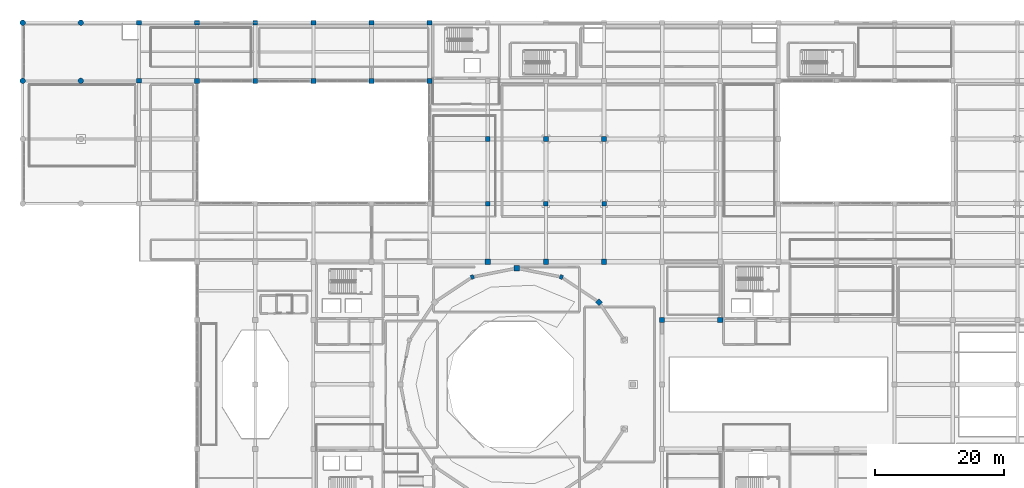
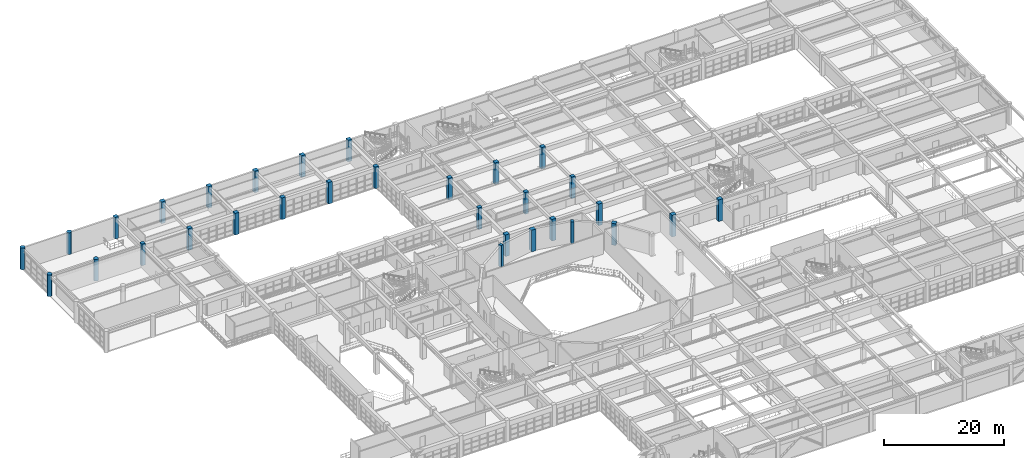
# One storey, part 10 of 133: 31 columns.
"""IFC4 building model written with IfcOpenShell, lengths in metres."""

from ifc_helpers import new_model, si_unit, direction, frame, origin, origin_2d, place, context, subcontext, project, spatial, rectangle, circle, extrude, material, material_profile, profile_set, type_object, element, save


model = new_model("IFC4")

# Units and contexts
model_context = context("Model", 3, precision=1e-05, world=origin(), true_north=direction((0.0, 1.0)))
body_context = subcontext(model_context, "Body", "Model", "MODEL_VIEW")
ifc_project = project(units=[si_unit("LENGTHUNIT", "METRE"), si_unit("AREAUNIT", "SQUARE_METRE"), si_unit("VOLUMEUNIT", "CUBIC_METRE"), si_unit("PLANEANGLEUNIT", "RADIAN"), si_unit("MASSUNIT", "GRAM", prefix="KILO")], contexts=[model_context])

# Site, building, storey
site_placement = place(None, origin())
site = spatial("IfcSite", under=ifc_project, at=site_placement, CompositionType="ELEMENT")
building_placement = place(site_placement, origin())
building = spatial("IfcBuilding", under=site, at=building_placement, Name="Miravela Opera House", CompositionType="ELEMENT")
storey_placement = place(building_placement, frame((0.0, 0.0, 5.10009765625)))
storey = spatial("IfcBuildingStorey", under=building, at=storey_placement, Name="L01", CompositionType="ELEMENT", Elevation=5.10009765625)

# Columns
ifc_material_1 = material(Name="Concrete C35/45", Category="concrete")
ifc_material_profile_1 = material_profile(ifc_material_1, rectangle(XDim=0.699951171875, YDim=0.699951171875, at=origin_2d()), Name="RC-COL-700X700")
ifc_profile_set_1 = profile_set([ifc_material_profile_1])
column_type_1 = type_object("IfcColumnType", Name="STR-COL-RC700", PredefinedType="COLUMN", material=ifc_profile_set_1)
for number, where, z_axis, x_axis, name in (
    (1, (81.0, 84.0, 0.0), (0.0, 0.0, 1.0), (1.0, 0.0, 0.0), "Column C-10J (L01)"),
    (2, (90.0, 84.0, 0.0), (0.0, 0.0, 1.0), (1.0, 0.0, 0.0), "Column C-11J (L01)"),
    (3, (18.0, 103.0, 0.0), (0.0, 0.0, 1.0), (1.0, 0.0, 0.0), "Column C-3L (L01)"),
    (4, (18.0, 112.0, 0.0), (0.0, 0.0, 1.0), (1.0, 0.0, 0.0), "Column C-3M (L01)"),
    (5, (72.0, 84.0, 0.0), (0.0, 0.0, 1.0), (1.0, 0.0, 0.0), "Column C-9J (L01)"),
):
    element("IfcColumn", number, at=place(storey_placement, frame(where, z_axis=z_axis, x_axis=x_axis)), inside=storey, type_object=column_type_1, Name=name, PredefinedType="COLUMN", context=body_context, shape_type="SweptSolid", body=[
        extrude(rectangle(XDim=0.699951171875, YDim=0.699951171875, at=origin_2d()), origin(), (0.0, 0.0, 1.0), 4.419921875),
    ])
ifc_material_profile_2 = material_profile(ifc_material_1, rectangle(XDim=0.75, YDim=0.75, at=origin_2d()), Name="RC-COL-750X750")
ifc_profile_set_2 = profile_set([ifc_material_profile_2])
column_type_2 = type_object("IfcColumnType", Name="STR-COL-RC750", PredefinedType="COLUMN", material=ifc_profile_set_2)
for number, where, z_axis, x_axis, name in (
    (6, (81.0, 94.0, 0.0), (0.0, 0.0, 1.0), (1.0, 0.0, 0.0), "Column C-10K (L01)"),
    (7, (90.0, 94.0, 0.0), (0.0, 0.0, 1.0), (1.0, 0.0, 0.0), "Column C-11K (L01)"),
    (8, (27.0, 103.0, 0.0), (0.0, 0.0, 1.0), (1.0, 0.0, 0.0), "Column C-4L (L01)"),
    (9, (27.0, 112.0, 0.0), (0.0, 0.0, 1.0), (1.0, 0.0, 0.0), "Column C-4M (L01)"),
    (10, (36.0, 103.0, 0.0), (0.0, 0.0, 1.0), (1.0, 0.0, 0.0), "Column C-5L (L01)"),
    (11, (36.0, 112.0, 0.0), (0.0, 0.0, 1.0), (1.0, 0.0, 0.0), "Column C-5M (L01)"),
    (12, (45.0, 103.0, 0.0), (0.0, 0.0, 1.0), (1.0, 0.0, 0.0), "Column C-6L (L01)"),
    (13, (45.0, 112.0, 0.0), (0.0, 0.0, 1.0), (1.0, 0.0, 0.0), "Column C-6M (L01)"),
    (14, (54.0, 103.0, 0.0), (0.0, 0.0, 1.0), (1.0, 0.0, 0.0), "Column C-7L (L01)"),
    (15, (54.0, 112.0, 0.0), (0.0, 0.0, 1.0), (1.0, 0.0, 0.0), "Column C-7M (L01)"),
    (16, (63.0, 103.0, 0.0), (0.0, 0.0, 1.0), (1.0, 0.0, 0.0), "Column C-8L (L01)"),
    (17, (63.0, 112.0, 0.0), (0.0, 0.0, 1.0), (1.0, 0.0, 0.0), "Column C-8M (L01)"),
    (18, (72.0, 94.0, 0.0), (0.0, 0.0, 1.0), (1.0, 0.0, 0.0), "Column C-9K (L01)"),
):
    element("IfcColumn", number, at=place(storey_placement, frame(where, z_axis=z_axis, x_axis=x_axis)), inside=storey, type_object=column_type_2, Name=name, PredefinedType="COLUMN", context=body_context, shape_type="SweptSolid", body=[
        extrude(rectangle(XDim=0.75, YDim=0.75, at=origin_2d()), origin(), (0.0, 0.0, 1.0), 4.419921875),
    ])
ifc_material_2 = material(Name="Concrete C40/50", Category="concrete")
ifc_material_profile_3 = material_profile(ifc_material_2, rectangle(XDim=0.800048828125, YDim=0.800048828125, at=origin_2d()), Name="RC-COL-800X800")
ifc_profile_set_3 = profile_set([ifc_material_profile_3])
column_type_3 = type_object("IfcColumnType", Name="STR-COL-RC800", PredefinedType="COLUMN", material=ifc_profile_set_3)
for number, where, z_axis, x_axis, name in (
    (19, (81.0, 75.0, 0.0), (0.0, 0.0, 1.0), (1.0, 0.0, 0.0), "Column C-10I (L01)"),
    (20, (90.0, 75.0, 0.0), (0.0, 0.0, 1.0), (1.0, 0.0, 0.0), "Column C-11I (L01)"),
    (21, (99.0, 66.0, 0.0), (0.0, 0.0, 1.0), (1.0, 0.0, 0.0), "Column C-12H (L01)"),
    (22, (108.0, 66.0, 0.0), (0.0, 0.0, 1.0), (1.0, 0.0, 0.0), "Column C-13H (L01)"),
    (23, (72.0, 75.0, 0.0), (0.0, 0.0, 1.0), (1.0, 0.0, 0.0), "Column C-9I (L01)"),
):
    element("IfcColumn", number, at=place(storey_placement, frame(where, z_axis=z_axis, x_axis=x_axis)), inside=storey, type_object=column_type_3, Name=name, PredefinedType="COLUMN", context=body_context, shape_type="SweptSolid", body=[
        extrude(rectangle(XDim=0.800048828125, YDim=0.800048828125, at=origin_2d()), origin(), (0.0, 0.0, 1.0), 4.419921875),
    ])
ifc_material_profile_4 = material_profile(ifc_material_2, circle(Radius=0.425048828125, at=origin_2d()), Name="RC-COL-D850")
ifc_profile_set_4 = profile_set([ifc_material_profile_4])
column_type_4 = type_object("IfcColumnType", Name="STR-COL-RCD850", PredefinedType="COLUMN", material=ifc_profile_set_4)
for number, where, z_axis, x_axis, name in (
    (24, (0.0, 103.0, 0.0), (0.0, 0.0, 1.0), (1.0, 0.0, 0.0), "Column C-1L (L01)"),
    (25, (0.0, 112.0, 0.0), (0.0, 0.0, 1.0), (1.0, 0.0, 0.0), "Column C-1M (L01)"),
    (26, (9.0, 103.0, 0.0), (0.0, 0.0, 1.0), (1.0, 0.0, 0.0), "Column C-2L (L01)"),
    (27, (9.0, 112.0, 0.0), (0.0, 0.0, 1.0), (1.0, 0.0, 0.0), "Column C-2M (L01)"),
):
    element("IfcColumn", number, at=place(storey_placement, frame(where, z_axis=z_axis, x_axis=x_axis)), inside=storey, type_object=column_type_4, Name=name, PredefinedType="COLUMN", context=body_context, shape_type="SweptSolid", body=[
        extrude(circle(Radius=0.425048828125, at=origin_2d()), origin(), (0.0, 0.0, 1.0), 4.419921875),
    ])
ifc_material_profile_5 = material_profile(ifc_material_1, rectangle(XDim=0.64990234375, YDim=0.5, at=origin_2d()), Name="RC-PIL-650X500")
ifc_profile_set_5 = profile_set([ifc_material_profile_5])
column_type_5 = type_object("IfcColumnType", Name="STR-PIL-RC650X500", PredefinedType="PILASTER", material=ifc_profile_set_5)
for number, where, z_axis, x_axis, name in (
    (28, (83.38818359375, 72.6298828125, 0.0), (0.0, 0.0, 1.0), (0.382683432365, 0.923879532511, 0.0), "Auditorium Drum Column DC-04 (L01)"),
    (29, (69.61181640625, 72.6298828125, 0.0), (0.0, 0.0, 1.0), (-0.382683432365, 0.923879532511, 0.0), "Auditorium Drum Column DC-06 (L01)"),
):
    element("IfcColumn", number, at=place(storey_placement, frame(where, z_axis=z_axis, x_axis=x_axis)), inside=storey, type_object=column_type_5, Name=name, PredefinedType="PILASTER", context=body_context, shape_type="SweptSolid", body=[
        extrude(rectangle(XDim=0.64990234375, YDim=0.5, at=origin_2d()), origin(), (0.0, 0.0, 1.0), 4.419921875),
    ])
ifc_material_profile_6 = material_profile(ifc_material_2, rectangle(XDim=0.800048828125, YDim=0.800048828125, at=origin_2d()), Name="RC-COL-800X800")
ifc_profile_set_6 = profile_set([ifc_material_profile_6])
column_type_6 = type_object("IfcColumnType", Name="STR-PIL-RC800", PredefinedType="PILASTER", material=ifc_profile_set_6)
for number, where, z_axis, x_axis, name in (
    (30, (89.227783203125, 68.727783203125, 0.0), (0.0, 0.0, 1.0), (0.707106781187, 0.707106781187, 0.0), "Auditorium Drum Column DC-03 (L01)"),
    (31, (76.5, 74.0, 0.0), (0.0, 0.0, 1.0), (0.0, 1.0, 0.0), "Auditorium Drum Column DC-05 (L01)"),
):
    element("IfcColumn", number, at=place(storey_placement, frame(where, z_axis=z_axis, x_axis=x_axis)), inside=storey, type_object=column_type_6, Name=name, PredefinedType="PILASTER", context=body_context, shape_type="SweptSolid", body=[
        extrude(rectangle(XDim=0.800048828125, YDim=0.800048828125, at=origin_2d()), origin(), (0.0, 0.0, 1.0), 4.419921875),
    ])

save(model, "model.ifc")
